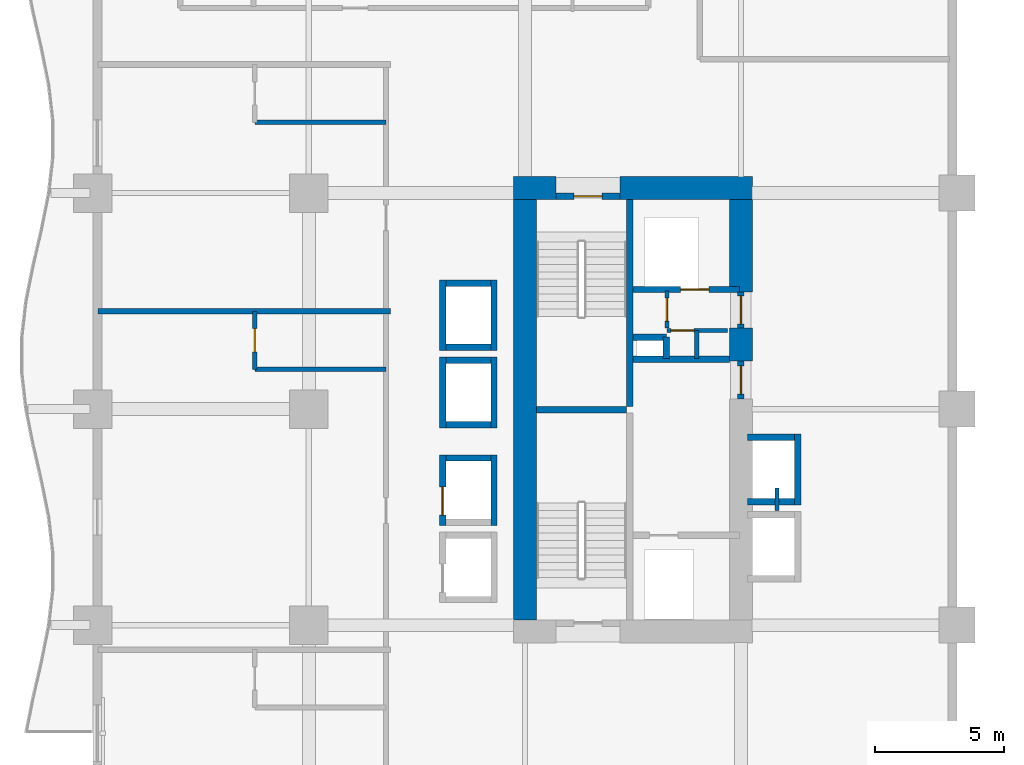
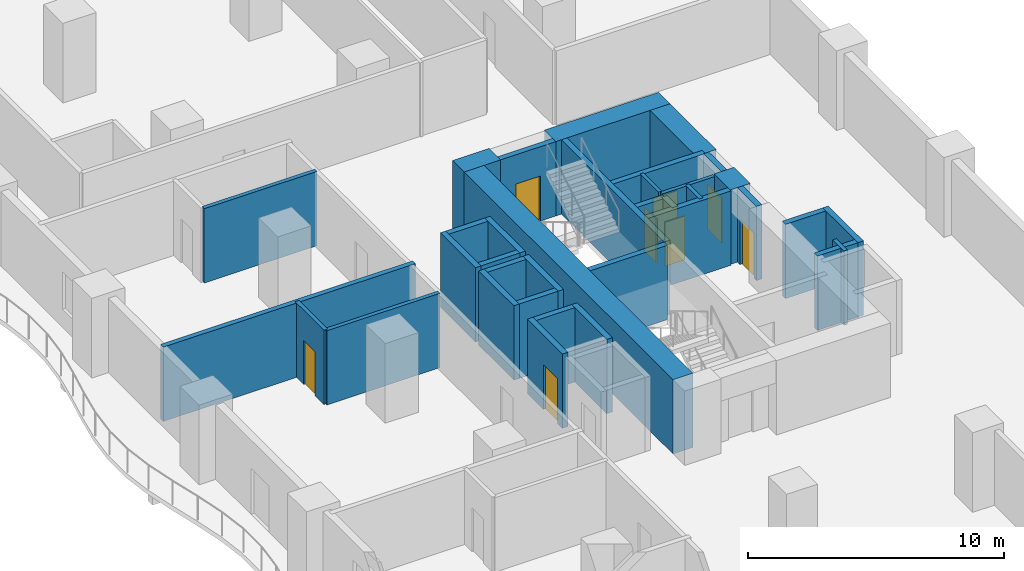
# One storey, part 10 of 22: 36 walls, 8 doors, 8 openings.
"""IFC4 building model written with IfcOpenShell, lengths in metres."""

from ifc_helpers import new_model, si_unit, direction, frame, frame_2d, origin, place, context, subcontext, project, spatial, rectangle, extrude, material, layer, layer_set, type_object, element, fill, save


model = new_model("IFC4")

# Units and contexts
model_context = context("Model", 3, precision=1e-05, world=origin(), true_north=direction((0.0, 1.0)))
body_context = subcontext(model_context, "Body", "Model", "MODEL_VIEW")
ifc_project = project(units=[si_unit("LENGTHUNIT", "METRE"), si_unit("AREAUNIT", "SQUARE_METRE"), si_unit("VOLUMEUNIT", "CUBIC_METRE"), si_unit("PLANEANGLEUNIT", "RADIAN"), si_unit("MASSUNIT", "GRAM", prefix="KILO")], contexts=[model_context])

# Site, building, storey
site_placement = place(None, origin())
site = spatial("IfcSite", under=ifc_project, at=site_placement, CompositionType="ELEMENT")
building_placement = place(site_placement, origin())
building = spatial("IfcBuilding", under=site, at=building_placement, Name="Koriwani Terraces Tower", CompositionType="ELEMENT")
storey_placement = place(building_placement, frame((0.0, 0.0, 51.0)))
storey = spatial("IfcBuildingStorey", under=building, at=storey_placement, Name="L11", CompositionType="ELEMENT", Elevation=51.0)

# Walls
ifc_material_1 = material(Name="Concrete C60/75", Category="concrete")
ifc_layer_1 = layer(ifc_material_1, 0.89990234375, Name="Concrete C60/75")
ifc_layer_set_1 = layer_set([ifc_layer_1], Name="Concrete C60/75")
wall_type_1 = type_object("IfcWallType", Name="WALL_CORE_RC_900", PredefinedType="SHEAR", material=ifc_layer_set_1)
wall_1_placement = place(storey_placement, frame((16.35009765625, 59.0, 0.0), z_axis=(0.0, 0.0, 1.0), x_axis=(1.0, 0.0, 0.0)))
element("IfcWall", 1, at=wall_1_placement, inside=storey, type_object=wall_type_1, Name="L11 West Split Core Shear Wall N1", PredefinedType="SHEAR", context=body_context, shape_type="SweptSolid", body=[
    extrude(rectangle(XDim=1.64990234375, YDim=0.89990234375, at=frame_2d((0.824951171875, 0.0))), origin(), (0.0, 0.0, 1.0), 3.550048828125),
])
wall_2_placement = place(storey_placement, frame((20.5, 59.0, 0.0), z_axis=(0.0, 0.0, 1.0), x_axis=(1.0, 0.0, 0.0)))
element("IfcWall", 2, at=wall_2_placement, inside=storey, type_object=wall_type_1, Name="L11 West Split Core Shear Wall N2", PredefinedType="SHEAR", context=body_context, shape_type="SweptSolid", body=[
    extrude(rectangle(XDim=5.14990234375, YDim=0.89990234375, at=frame_2d((2.574951171875, 0.0))), origin(), (0.0, 0.0, 1.0), 3.550048828125),
])
wall_3_placement = place(storey_placement, frame((16.800048828125, 42.199951171875, 0.0), z_axis=(0.0, 0.0, 1.0), x_axis=(0.0, 1.0, 0.0)))
element("IfcWall", 3, at=wall_3_placement, inside=storey, type_object=wall_type_1, Name="L11 West Split Core Shear Wall W1", PredefinedType="SHEAR", context=body_context, shape_type="SweptSolid", body=[
    extrude(rectangle(XDim=16.35009765625, YDim=0.89990234375, at=frame_2d((8.175048828125, 0.0))), origin(), (0.0, 0.0, 1.0), 3.550048828125),
])
wall_4_placement = place(storey_placement, frame((25.199951171875, 52.280029296875, 0.0), z_axis=(0.0, 0.0, 1.0), x_axis=(0.0, 1.0, 0.0)))
element("IfcWall", 4, at=wall_4_placement, inside=storey, type_object=wall_type_1, Name="L11 West Split Core Shear Wall E2", PredefinedType="SHEAR", context=body_context, shape_type="SweptSolid", body=[
    extrude(rectangle(XDim=1.27001953125, YDim=0.89990234375, at=frame_2d((0.635009765625, 0.0))), origin(), (0.0, 0.0, 1.0), 3.550048828125),
])
wall_5_placement = place(storey_placement, frame((25.199951171875, 54.949951171875, 0.0), z_axis=(0.0, 0.0, 1.0), x_axis=(0.0, 1.0, 0.0)))
element("IfcWall", 5, at=wall_5_placement, inside=storey, type_object=wall_type_1, Name="L11 West Split Core Shear Wall E3", PredefinedType="SHEAR", context=body_context, shape_type="SweptSolid", body=[
    extrude(rectangle(XDim=3.60009765625, YDim=0.89990234375, at=frame_2d((1.800048828125, 0.0))), origin(), (0.0, 0.0, 1.0), 3.550048828125),
])
ifc_material_2 = material(Name="Autoclaved Cellular Concrete Blockwork", Category="masonry")
ifc_layer_2 = layer(ifc_material_2, 0.219970703125, Name="Autoclaved Cellular Concrete Blockwork")
ifc_layer_set_2 = layer_set([ifc_layer_2], Name="Autoclaved Cellular Concrete Blockwork")
wall_type_2 = type_object("IfcWallType", Name="WALL_DEMISING_220", PredefinedType="PARTITIONING", material=ifc_layer_set_2)
wall_6_placement = place(storey_placement, frame((0.199951171875, 54.199951171875, 0.0), z_axis=(0.0, 0.0, 1.0), x_axis=(1.0, 0.0, 0.0)))
element("IfcWall", 6, at=wall_6_placement, inside=storey, type_object=wall_type_2, Name="L11 Interior Wall WDEM-L11-NW-5", PredefinedType="PARTITIONING", context=body_context, shape_type="SweptSolid", body=[
    extrude(rectangle(XDim=11.380126953125, YDim=0.219970703125, at=frame_2d((5.68994140625, 0.0))), origin(), (0.0, 0.0, 1.0), 3.550048828125),
])

# Wall, opening, door
ifc_material_3 = material(Name="Fire-Rated Acoustic Gypsum Partition", Category="masonry")
ifc_layer_3 = layer(ifc_material_3, 0.179931640625, Name="Fire-Rated Acoustic Gypsum Partition")
ifc_layer_set_3 = layer_set([ifc_layer_3], Name="Fire-Rated Acoustic Gypsum Partition")
wall_type_3 = type_object("IfcWallType", Name="WALL_PLUMBING_180", PredefinedType="PLUMBINGWALL", material=ifc_layer_set_3)
wall_7_placement = place(storey_placement, frame((6.300048828125, 51.949951171875, 0.0), z_axis=(0.0, 0.0, 1.0), x_axis=(0.0, 1.0, 0.0)))
wall_7 = element("IfcWall", 7, at=wall_7_placement, inside=storey, type_object=wall_type_3, Name="L11 Interior Wall WBTH1-L11-NW-4", PredefinedType="PLUMBINGWALL", context=body_context, shape_type="SweptSolid", body=[
    extrude(rectangle(XDim=2.25, YDim=0.179931640625, at=frame_2d((1.125, 0.0))), origin(), (0.0, 0.0, 1.0), 3.550048828125),
])
opening_1_placement = place(wall_7_placement, frame((0.675048828125, 0.0, 0.0)))
opening_1 = element("IfcOpeningElement", 8, at=opening_1_placement, cuts=wall_7, Name="Opening D-07", PredefinedType="OPENING", context=body_context, shape_type="SweptSolid", body=[
    extrude(rectangle(XDim=0.89990234375, YDim=2.10009765625, at=frame_2d((0.449951171875, 1.050048828125))), frame((0.0, 0.10009765625, 0.0), z_axis=(0.0, -1.0, 0.0), x_axis=(1.0, 0.0, 0.0)), (0.0, 0.0, 1.0), 0.199951171875),
])
ifc_material_4 = material(Name="Architectural Oak Fire Door", Category="wood")
door_type_1 = type_object("IfcDoorType", Name="DOOR_BATH_INT_900X2100", OperationType="NOTDEFINED", PredefinedType="DOOR", material=ifc_material_4)
door_1_placement = place(opening_1_placement, origin())
door_1 = element("IfcDoor", 9, at=door_1_placement, inside=storey, type_object=door_type_1, Name="En-Suite Bathroom 11NW5 Door", OperationType="SINGLE_SWING_RIGHT", OverallHeight=2.10009765625, OverallWidth=0.89990234375, PredefinedType="DOOR", context=body_context, shape_type="SweptSolid", body=[
    extrude(rectangle(XDim=0.89990234375, YDim=2.10009765625, at=frame_2d((0.449951171875, 1.050048828125))), frame((0.0, 0.02490234375, 0.0), z_axis=(0.0, -1.0, 0.0), x_axis=(1.0, 0.0, 0.0)), (0.0, 0.0, 1.0), 0.050048828125),
])
fill(opening_1, door_1)

# Walls
for number, where, z_axis, x_axis, name in (
    (10, (6.300048828125, 51.949951171875, 0.0), (0.0, 0.0, 1.0), (1.0, 0.0, 0.0), "L11 Interior Wall WBTH2-L11-NW-4"),
    (11, (6.300048828125, 61.550048828125, 0.0), (0.0, 0.0, 1.0), (1.0, 0.0, 0.0), "L11 Interior Wall WBTH2-L11-NW-5"),
):
    element("IfcWall", number, at=place(storey_placement, frame(where, z_axis=z_axis, x_axis=x_axis)), inside=storey, type_object=wall_type_3, Name=name, PredefinedType="PLUMBINGWALL", context=body_context, shape_type="SweptSolid", body=[
        extrude(rectangle(XDim=5.099853515625, YDim=0.179931640625, at=frame_2d((2.5498046875, 0.0))), origin(), (0.0, 0.0, 1.0), 3.550048828125),
    ])
ifc_material_5 = material(Name="Concrete C40/50", Category="concrete")
ifc_layer_4 = layer(ifc_material_5, 0.25, Name="Concrete C40/50")
ifc_layer_set_4 = layer_set([ifc_layer_4], Name="Concrete C40/50")
wall_type_4 = type_object("IfcWallType", Name="WALL_SHAFT_RATED_250", PredefinedType="SOLIDWALL", material=ifc_layer_set_4)
wall_8_placement = place(storey_placement, frame((20.875, 50.5, 0.0), z_axis=(0.0, 0.0, 1.0), x_axis=(0.0, 1.0, 0.0)))
element("IfcWall", 12, at=wall_8_placement, inside=storey, type_object=wall_type_4, Name="L11 West Split Core Web Wall MID2", PredefinedType="SOLIDWALL", context=body_context, shape_type="SweptSolid", body=[
    extrude(rectangle(XDim=8.050048828125, YDim=0.25, at=frame_2d((4.02490234375, 0.0))), origin(), (0.0, 0.0, 1.0), 3.550048828125),
])
wall_9_placement = place(storey_placement, frame((17.25, 50.375, 0.0), z_axis=(0.0, 0.0, 1.0), x_axis=(1.0, 0.0, 0.0)))
element("IfcWall", 13, at=wall_9_placement, inside=storey, type_object=wall_type_4, Name="L11 West Split Core Stair Dividing Wall", PredefinedType="SOLIDWALL", context=body_context, shape_type="SweptSolid", body=[
    extrude(rectangle(XDim=3.5, YDim=0.25, at=frame_2d((1.75, 0.0))), origin(), (0.0, 0.0, 1.0), 3.550048828125),
])

# Wall, opening, door
wall_10_placement = place(storey_placement, frame((18.0, 58.675048828125, 0.0), z_axis=(0.0, 0.0, 1.0), x_axis=(1.0, 0.0, 0.0)))
wall_10 = element("IfcWall", 14, at=wall_10_placement, inside=storey, type_object=wall_type_4, Name="L11 Interior Wall WIN-CW-L11-STN", PredefinedType="SOLIDWALL", context=body_context, shape_type="SweptSolid", body=[
    extrude(rectangle(XDim=2.5, YDim=0.25, at=frame_2d((1.25, 0.0))), origin(), (0.0, 0.0, 1.0), 3.550048828125),
])
opening_2_placement = place(wall_10_placement, frame((0.699951171875, 0.0, 0.0)))
opening_2 = element("IfcOpeningElement", 15, at=opening_2_placement, cuts=wall_10, Name="Opening D-03", PredefinedType="OPENING", context=body_context, shape_type="SweptSolid", body=[
    extrude(rectangle(XDim=1.10009765625, YDim=2.14990234375, at=frame_2d((0.550048828125, 1.074951171875))), frame((0.0, 0.135009765625, 0.0), z_axis=(0.0, -1.0, 0.0), x_axis=(1.0, 0.0, 0.0)), (0.0, 0.0, 1.0), 0.27001953125),
])
ifc_material_6 = material(Name="Steel ASTM A572 Grade 50", Category="steel")
door_type_2 = type_object("IfcDoorType", Name="DOOR_STAIR_FIRE_1100X2150", OperationType="NOTDEFINED", PredefinedType="DOOR", material=ifc_material_6)
door_2_placement = place(opening_2_placement, origin())
door_2 = element("IfcDoor", 16, at=door_2_placement, inside=storey, type_object=door_type_2, Name="L11 Exit Stair ST-W2 Door", OperationType="SINGLE_SWING_RIGHT", OverallHeight=2.14990234375, OverallWidth=1.10009765625, PredefinedType="DOOR", context=body_context, shape_type="SweptSolid", body=[
    extrude(rectangle(XDim=1.10009765625, YDim=2.14990234375, at=frame_2d((0.550048828125, 1.074951171875))), frame((0.0, 0.02490234375, 0.0), z_axis=(0.0, -1.0, 0.0), x_axis=(1.0, 0.0, 0.0)), (0.0, 0.0, 1.0), 0.050048828125),
])
fill(opening_2, door_2)

wall_11_placement = place(storey_placement, frame((25.199951171875, 50.800048828125, 0.0), z_axis=(0.0, 0.0, 1.0), x_axis=(0.0, 1.0, 0.0)))
wall_11 = element("IfcWall", 17, at=wall_11_placement, inside=storey, type_object=wall_type_4, Name="L11 Interior Wall WIN-CW-L11-EP", PredefinedType="SOLIDWALL", context=body_context, shape_type="SweptSolid", body=[
    extrude(rectangle(XDim=1.47998046875, YDim=0.25, at=frame_2d((0.739990234375, 0.0))), origin(), (0.0, 0.0, 1.0), 3.550048828125),
])
opening_3_placement = place(wall_11_placement, frame((0.179931640625, 0.0, 0.0)))
opening_3 = element("IfcOpeningElement", 18, at=opening_3_placement, cuts=wall_11, Name="Opening D-03", PredefinedType="OPENING", context=body_context, shape_type="SweptSolid", body=[
    extrude(rectangle(XDim=1.10009765625, YDim=2.14990234375, at=frame_2d((0.550048828125, 1.074951171875))), frame((0.0, 0.135009765625, 0.0), z_axis=(0.0, -1.0, 0.0), x_axis=(1.0, 0.0, 0.0)), (0.0, 0.0, 1.0), 0.27001953125),
])
door_3_placement = place(opening_3_placement, origin())
door_3 = element("IfcDoor", 19, at=door_3_placement, inside=storey, type_object=door_type_2, Name="L11 West Firefighting Lobby Door", OperationType="SINGLE_SWING_LEFT", OverallHeight=2.14990234375, OverallWidth=1.10009765625, PredefinedType="DOOR", context=body_context, shape_type="SweptSolid", body=[
    extrude(rectangle(XDim=1.10009765625, YDim=2.14990234375, at=frame_2d((0.550048828125, 1.074951171875))), frame((0.0, 0.02490234375, 0.0), z_axis=(0.0, -1.0, 0.0), x_axis=(1.0, 0.0, 0.0)), (0.0, 0.0, 1.0), 0.050048828125),
])
fill(opening_3, door_3)

# Wall
wall_12_placement = place(storey_placement, frame((21.0, 52.340087890625, 0.0), z_axis=(0.0, 0.0, 1.0), x_axis=(1.0, 0.0, 0.0)))
element("IfcWall", 20, at=wall_12_placement, inside=storey, type_object=wall_type_4, Name="L11 Interior Wall WIN-CW-L11-FFN", PredefinedType="SOLIDWALL", context=body_context, shape_type="SweptSolid", body=[
    extrude(rectangle(XDim=3.75, YDim=0.25, at=frame_2d((1.875, 0.0))), origin(), (0.0, 0.0, 1.0), 3.550048828125),
])

# Wall, opening, door
wall_13_placement = place(storey_placement, frame((21.0, 55.050048828125, 0.0), z_axis=(0.0, 0.0, 1.0), x_axis=(1.0, 0.0, 0.0)))
wall_13 = element("IfcWall", 21, at=wall_13_placement, inside=storey, type_object=wall_type_4, Name="L11 Interior Wall WIN-CW-L11-SE", PredefinedType="SOLIDWALL", context=body_context, shape_type="SweptSolid", body=[
    extrude(rectangle(XDim=4.14990234375, YDim=0.25, at=frame_2d((2.074951171875, 0.0))), origin(), (0.0, 0.0, 1.0), 3.550048828125),
])
opening_4_placement = place(wall_13_placement, frame((1.85009765625, 0.0, 0.0)))
opening_4 = element("IfcOpeningElement", 22, at=opening_4_placement, cuts=wall_13, Name="Opening LD-01", PredefinedType="OPENING", context=body_context, shape_type="SweptSolid", body=[
    extrude(rectangle(XDim=1.10009765625, YDim=2.14990234375, at=frame_2d((0.550048828125, 1.074951171875))), frame((0.0, 0.135009765625, 0.0), z_axis=(0.0, -1.0, 0.0), x_axis=(1.0, 0.0, 0.0)), (0.0, 0.0, 1.0), 0.27001953125),
])
door_type_3 = type_object("IfcDoorType", Name="DOOR_LIFT_LANDING_1100X2200", OperationType="NOTDEFINED", PredefinedType="DOOR", material=ifc_material_6)
door_4_placement = place(opening_4_placement, origin())
door_4 = element("IfcDoor", 23, at=door_4_placement, inside=storey, type_object=door_type_3, Name="L11 Goods Lift SE-01 Landing Door", OperationType="SLIDING_TO_LEFT", OverallHeight=2.14990234375, OverallWidth=1.10009765625, PredefinedType="DOOR", context=body_context, shape_type="SweptSolid", body=[
    extrude(rectangle(XDim=1.10009765625, YDim=2.14990234375, at=frame_2d((0.550048828125, 1.074951171875))), frame((0.0, 0.02490234375, 0.0), z_axis=(0.0, -1.0, 0.0), x_axis=(1.0, 0.0, 0.0)), (0.0, 0.0, 1.0), 0.050048828125),
])
fill(opening_4, door_4)

wall_14_placement = place(storey_placement, frame((25.199951171875, 53.550048828125, 0.0), z_axis=(0.0, 0.0, 1.0), x_axis=(0.0, 1.0, 0.0)))
wall_14 = element("IfcWall", 24, at=wall_14_placement, inside=storey, type_object=wall_type_4, Name="L11 Interior Wall WIN-CW-L11-EP2", PredefinedType="SOLIDWALL", context=body_context, shape_type="SweptSolid", body=[
    extrude(rectangle(XDim=1.39990234375, YDim=0.25, at=frame_2d((0.699951171875, 0.0))), origin(), (0.0, 0.0, 1.0), 3.550048828125),
])
opening_5_placement = place(wall_14_placement, frame((0.14990234375, 0.0, 0.0)))
opening_5 = element("IfcOpeningElement", 25, at=opening_5_placement, cuts=wall_14, Name="Opening D-03", PredefinedType="OPENING", context=body_context, shape_type="SweptSolid", body=[
    extrude(rectangle(XDim=1.10009765625, YDim=2.14990234375, at=frame_2d((0.550048828125, 1.074951171875))), frame((0.0, 0.135009765625, 0.0), z_axis=(0.0, -1.0, 0.0), x_axis=(1.0, 0.0, 0.0)), (0.0, 0.0, 1.0), 0.27001953125),
])
door_5_placement = place(opening_5_placement, origin())
door_5 = element("IfcDoor", 26, at=door_5_placement, inside=storey, type_object=door_type_2, Name="L11 West Goods Lift Lobby Door", OperationType="SINGLE_SWING_RIGHT", OverallHeight=2.14990234375, OverallWidth=1.10009765625, PredefinedType="DOOR", context=body_context, shape_type="SweptSolid", body=[
    extrude(rectangle(XDim=1.10009765625, YDim=2.14990234375, at=frame_2d((0.550048828125, 1.074951171875))), frame((0.0, 0.02490234375, 0.0), z_axis=(0.0, -1.0, 0.0), x_axis=(1.0, 0.0, 0.0)), (0.0, 0.0, 1.0), 0.050048828125),
])
fill(opening_5, door_5)

# Walls
wall_15_placement = place(storey_placement, frame((21.0, 53.199951171875, 0.0), z_axis=(0.0, 0.0, 1.0), x_axis=(1.0, 0.0, 0.0)))
element("IfcWall", 27, at=wall_15_placement, inside=storey, type_object=wall_type_4, Name="L11 Interior Wall WIN-CW-L11-RS1", PredefinedType="SOLIDWALL", context=body_context, shape_type="SweptSolid", body=[
    extrude(rectangle(XDim=1.300048828125, YDim=0.25, at=frame_2d((0.64990234375, 0.0))), origin(), (0.0, 0.0, 1.0), 3.550048828125),
])
wall_16_placement = place(storey_placement, frame((22.300048828125, 52.360107421875, 0.0), z_axis=(0.0, 0.0, 1.0), x_axis=(0.0, 1.0, 0.0)))
element("IfcWall", 28, at=wall_16_placement, inside=storey, type_object=wall_type_4, Name="L11 Interior Wall WIN-CW-L11-RS2", PredefinedType="SOLIDWALL", context=body_context, shape_type="SweptSolid", body=[
    extrude(rectangle(XDim=0.83984375, YDim=0.25, at=frame_2d((0.419921875, 0.0))), origin(), (0.0, 0.0, 1.0), 3.550048828125),
])

# Wall, opening, door
wall_17_placement = place(storey_placement, frame((13.60009765625, 45.875, 0.0), z_axis=(0.0, 0.0, 1.0), x_axis=(0.0, 1.0, 0.0)))
wall_17 = element("IfcWall", 29, at=wall_17_placement, inside=storey, type_object=wall_type_4, Name="L11 Interior Wall WIN-LF-PE-L2-L11-F", PredefinedType="SOLIDWALL", context=body_context, shape_type="SweptSolid", body=[
    extrude(rectangle(XDim=2.75, YDim=0.25, at=frame_2d((1.375, 0.0))), origin(), (0.0, 0.0, 1.0), 3.550048828125),
])
opening_6_placement = place(wall_17_placement, frame((0.39990234375, 0.0, 0.0)))
opening_6 = element("IfcOpeningElement", 30, at=opening_6_placement, cuts=wall_17, Name="Opening LD-01", PredefinedType="OPENING", context=body_context, shape_type="SweptSolid", body=[
    extrude(rectangle(XDim=1.10009765625, YDim=2.14990234375, at=frame_2d((0.550048828125, 1.074951171875))), frame((0.0, 0.135009765625, 0.0), z_axis=(0.0, -1.0, 0.0), x_axis=(1.0, 0.0, 0.0)), (0.0, 0.0, 1.0), 0.27001953125),
])
door_6_placement = place(opening_6_placement, origin())
door_6 = element("IfcDoor", 31, at=door_6_placement, inside=storey, type_object=door_type_3, Name="L11 Passenger Lift PE-L2 Landing Door", OperationType="SLIDING_TO_LEFT", OverallHeight=2.14990234375, OverallWidth=1.10009765625, PredefinedType="DOOR", context=body_context, shape_type="SweptSolid", body=[
    extrude(rectangle(XDim=1.10009765625, YDim=2.14990234375, at=frame_2d((0.550048828125, 1.074951171875))), frame((0.0, 0.02490234375, 0.0), z_axis=(0.0, -1.0, 0.0), x_axis=(1.0, 0.0, 0.0)), (0.0, 0.0, 1.0), 0.050048828125),
])
fill(opening_6, door_6)

# Walls
wall_18_placement = place(storey_placement, frame((15.60009765625, 45.875, 0.0), z_axis=(0.0, 0.0, 1.0), x_axis=(0.0, 1.0, 0.0)))
element("IfcWall", 32, at=wall_18_placement, inside=storey, type_object=wall_type_4, Name="L11 Interior Wall WIN-LF-PE-L2-L11-B", PredefinedType="SOLIDWALL", context=body_context, shape_type="SweptSolid", body=[
    extrude(rectangle(XDim=2.75, YDim=0.25, at=frame_2d((1.375, 0.0))), origin(), (0.0, 0.0, 1.0), 3.550048828125),
])
wall_19_placement = place(storey_placement, frame((13.72509765625, 48.5, 0.0), z_axis=(0.0, 0.0, 1.0), x_axis=(1.0, 0.0, 0.0)))
element("IfcWall", 33, at=wall_19_placement, inside=storey, type_object=wall_type_4, Name="L11 Interior Wall WIN-LF-PE-L2-L11-N", PredefinedType="SOLIDWALL", context=body_context, shape_type="SweptSolid", body=[
    extrude(rectangle(XDim=1.75, YDim=0.25, at=frame_2d((0.875, 0.0))), origin(), (0.0, 0.0, 1.0), 3.550048828125),
])
for number, where, z_axis, x_axis, name in (
    (34, (13.60009765625, 49.675048828125, 0.0), (0.0, 0.0, 1.0), (0.0, 1.0, 0.0), "L11 Interior Wall WIN-LF-PE-M1-L11-F"),
    (35, (15.60009765625, 49.675048828125, 0.0), (0.0, 0.0, 1.0), (0.0, 1.0, 0.0), "L11 Interior Wall WIN-LF-PE-M1-L11-B"),
):
    element("IfcWall", number, at=place(storey_placement, frame(where, z_axis=z_axis, x_axis=x_axis)), inside=storey, type_object=wall_type_4, Name=name, PredefinedType="SOLIDWALL", context=body_context, shape_type="SweptSolid", body=[
        extrude(rectangle(XDim=2.75, YDim=0.25, at=frame_2d((1.375, 0.0))), origin(), (0.0, 0.0, 1.0), 3.550048828125),
    ])
for number, where, z_axis, x_axis, name in (
    (36, (13.72509765625, 49.800048828125, 0.0), (0.0, 0.0, 1.0), (1.0, 0.0, 0.0), "L11 Interior Wall WIN-LF-PE-M1-L11-S"),
    (37, (13.72509765625, 52.300048828125, 0.0), (0.0, 0.0, 1.0), (1.0, 0.0, 0.0), "L11 Interior Wall WIN-LF-PE-M1-L11-N"),
):
    element("IfcWall", number, at=place(storey_placement, frame(where, z_axis=z_axis, x_axis=x_axis)), inside=storey, type_object=wall_type_4, Name=name, PredefinedType="SOLIDWALL", context=body_context, shape_type="SweptSolid", body=[
        extrude(rectangle(XDim=1.75, YDim=0.25, at=frame_2d((0.875, 0.0))), origin(), (0.0, 0.0, 1.0), 3.550048828125),
    ])
for number, where, z_axis, x_axis, name in (
    (38, (13.60009765625, 52.675048828125, 0.0), (0.0, 0.0, 1.0), (0.0, 1.0, 0.0), "L11 Interior Wall WIN-LF-PE-M2-L11-F"),
    (39, (15.60009765625, 52.675048828125, 0.0), (0.0, 0.0, 1.0), (0.0, 1.0, 0.0), "L11 Interior Wall WIN-LF-PE-M2-L11-B"),
):
    element("IfcWall", number, at=place(storey_placement, frame(where, z_axis=z_axis, x_axis=x_axis)), inside=storey, type_object=wall_type_4, Name=name, PredefinedType="SOLIDWALL", context=body_context, shape_type="SweptSolid", body=[
        extrude(rectangle(XDim=2.75, YDim=0.25, at=frame_2d((1.375, 0.0))), origin(), (0.0, 0.0, 1.0), 3.550048828125),
    ])
for number, where, z_axis, x_axis, name in (
    (40, (13.72509765625, 52.800048828125, 0.0), (0.0, 0.0, 1.0), (1.0, 0.0, 0.0), "L11 Interior Wall WIN-LF-PE-M2-L11-S"),
    (41, (13.72509765625, 55.300048828125, 0.0), (0.0, 0.0, 1.0), (1.0, 0.0, 0.0), "L11 Interior Wall WIN-LF-PE-M2-L11-N"),
):
    element("IfcWall", number, at=place(storey_placement, frame(where, z_axis=z_axis, x_axis=x_axis)), inside=storey, type_object=wall_type_4, Name=name, PredefinedType="SOLIDWALL", context=body_context, shape_type="SweptSolid", body=[
        extrude(rectangle(XDim=1.75, YDim=0.25, at=frame_2d((0.875, 0.0))), origin(), (0.0, 0.0, 1.0), 3.550048828125),
    ])
wall_20_placement = place(storey_placement, frame((27.39990234375, 46.675048828125, 0.0), z_axis=(0.0, 0.0, 1.0), x_axis=(0.0, 1.0, 0.0)))
element("IfcWall", 42, at=wall_20_placement, inside=storey, type_object=wall_type_4, Name="L11 Interior Wall WIN-LF-PE-H2-L11-F", PredefinedType="SOLIDWALL", context=body_context, shape_type="SweptSolid", body=[
    extrude(rectangle(XDim=2.75, YDim=0.25, at=frame_2d((1.375, 0.0))), origin(), (0.0, 0.0, 1.0), 3.550048828125),
])
for number, where, z_axis, x_axis, name in (
    (43, (25.449951171875, 46.800048828125, 0.0), (0.0, 0.0, 1.0), (1.0, 0.0, 0.0), "L11 Interior Wall WIN-LF-PE-H2-L11-S"),
    (44, (25.449951171875, 49.300048828125, 0.0), (0.0, 0.0, 1.0), (1.0, 0.0, 0.0), "L11 Interior Wall WIN-LF-PE-H2-L11-N"),
):
    element("IfcWall", number, at=place(storey_placement, frame(where, z_axis=z_axis, x_axis=x_axis)), inside=storey, type_object=wall_type_4, Name=name, PredefinedType="SOLIDWALL", context=body_context, shape_type="SweptSolid", body=[
        extrude(rectangle(XDim=1.824951171875, YDim=0.25, at=frame_2d((0.91259765625, 0.0))), origin(), (0.0, 0.0, 1.0), 3.550048828125),
    ])

# Wall, opening, door
ifc_layer_5 = layer(ifc_material_3, 0.159912109375, Name="Fire-Rated Acoustic Gypsum Partition")
ifc_layer_set_5 = layer_set([ifc_layer_5], Name="Fire-Rated Acoustic Gypsum Partition")
wall_type_5 = type_object("IfcWallType", Name="WALL_SUITE_160", PredefinedType="PARTITIONING", material=ifc_layer_set_5)
wall_21_placement = place(storey_placement, frame((22.320068359375, 53.56005859375, 0.0), z_axis=(0.0, 0.0, 1.0), x_axis=(0.0, 1.0, 0.0)))
wall_21 = element("IfcWall", 45, at=wall_21_placement, inside=storey, type_object=wall_type_5, Name="L11 Interior Wall WIN-CW-L11-SV2A", PredefinedType="PARTITIONING", context=body_context, shape_type="SweptSolid", body=[
    extrude(rectangle(XDim=1.43994140625, YDim=0.159912109375, at=frame_2d((0.719970703125, 0.0))), origin(), (0.0, 0.0, 1.0), 3.550048828125),
])
opening_7_placement = place(wall_21_placement, frame((0.260009765625, 0.0, 0.0)))
opening_7 = element("IfcOpeningElement", 46, at=opening_7_placement, cuts=wall_21, Name="Opening D-07", PredefinedType="OPENING", context=body_context, shape_type="SweptSolid", body=[
    extrude(rectangle(XDim=0.89990234375, YDim=2.10009765625, at=frame_2d((0.449951171875, 1.050048828125))), frame((0.0, 0.08984375, 0.0), z_axis=(0.0, -1.0, 0.0), x_axis=(1.0, 0.0, 0.0)), (0.0, 0.0, 1.0), 0.179931640625),
])
door_7_placement = place(opening_7_placement, origin())
door_7 = element("IfcDoor", 47, at=door_7_placement, inside=storey, type_object=door_type_1, Name="L11 West Meter Room Door", OperationType="SINGLE_SWING_LEFT", OverallHeight=2.10009765625, OverallWidth=0.89990234375, PredefinedType="DOOR", context=body_context, shape_type="SweptSolid", body=[
    extrude(rectangle(XDim=0.89990234375, YDim=2.10009765625, at=frame_2d((0.449951171875, 1.050048828125))), frame((0.0, 0.02490234375, 0.0), z_axis=(0.0, -1.0, 0.0), x_axis=(1.0, 0.0, 0.0)), (0.0, 0.0, 1.0), 0.050048828125),
])
fill(opening_7, door_7)

wall_22_placement = place(storey_placement, frame((22.320068359375, 53.4599609375, 0.0), z_axis=(0.0, 0.0, 1.0), x_axis=(1.0, 0.0, 0.0)))
wall_22 = element("IfcWall", 48, at=wall_22_placement, inside=storey, type_object=wall_type_5, Name="L11 Interior Wall WIN-CW-L11-SV2H", PredefinedType="PARTITIONING", context=body_context, shape_type="SweptSolid", body=[
    extrude(rectangle(XDim=2.35986328125, YDim=0.159912109375, at=frame_2d((1.179931640625, 0.0))), origin(), (0.0, 0.0, 1.0), 3.550048828125),
])
opening_8_placement = place(wall_22_placement, frame((0.159912109375, 0.0, 0.0)))
opening_8 = element("IfcOpeningElement", 49, at=opening_8_placement, cuts=wall_22, Name="Opening D-07", PredefinedType="OPENING", context=body_context, shape_type="SweptSolid", body=[
    extrude(rectangle(XDim=0.89990234375, YDim=2.10009765625, at=frame_2d((0.449951171875, 1.050048828125))), frame((0.0, 0.08984375, 0.0), z_axis=(0.0, -1.0, 0.0), x_axis=(1.0, 0.0, 0.0)), (0.0, 0.0, 1.0), 0.179931640625),
])
door_8_placement = place(opening_8_placement, origin())
door_8 = element("IfcDoor", 50, at=door_8_placement, inside=storey, type_object=door_type_1, Name="L11 West Valve Room Door", OperationType="SINGLE_SWING_RIGHT", OverallHeight=2.10009765625, OverallWidth=0.89990234375, PredefinedType="DOOR", context=body_context, shape_type="SweptSolid", body=[
    extrude(rectangle(XDim=0.89990234375, YDim=2.10009765625, at=frame_2d((0.449951171875, 1.050048828125))), frame((0.0, 0.02490234375, 0.0), z_axis=(0.0, -1.0, 0.0), x_axis=(1.0, 0.0, 0.0)), (0.0, 0.0, 1.0), 0.050048828125),
])
fill(opening_8, door_8)

# Walls
wall_23_placement = place(storey_placement, frame((23.47998046875, 52.360107421875, 0.0), z_axis=(0.0, 0.0, 1.0), x_axis=(0.0, 1.0, 0.0)))
element("IfcWall", 51, at=wall_23_placement, inside=storey, type_object=wall_type_5, Name="L11 Interior Wall WIN-CW-L11-SV2V", PredefinedType="PARTITIONING", context=body_context, shape_type="SweptSolid", body=[
    extrude(rectangle(XDim=1.099853515625, YDim=0.159912109375, at=frame_2d((0.5498046875, 0.0))), origin(), (0.0, 0.0, 1.0), 3.550048828125),
])
wall_24_placement = place(storey_placement, frame((26.60009765625, 46.4599609375, 0.0), z_axis=(0.0, 0.0, 1.0), x_axis=(0.0, 1.0, 0.0)))
element("IfcWall", 52, at=wall_24_placement, inside=storey, type_object=wall_type_5, Name="L11 Interior Wall WIN-LF-PEH12-MID-L11", PredefinedType="PARTITIONING", context=body_context, shape_type="SweptSolid", body=[
    extrude(rectangle(XDim=0.880126953125, YDim=0.159912109375, at=frame_2d((0.43994140625, 0.0))), origin(), (0.0, 0.0, 1.0), 3.550048828125),
])

save(model, "model.ifc")
